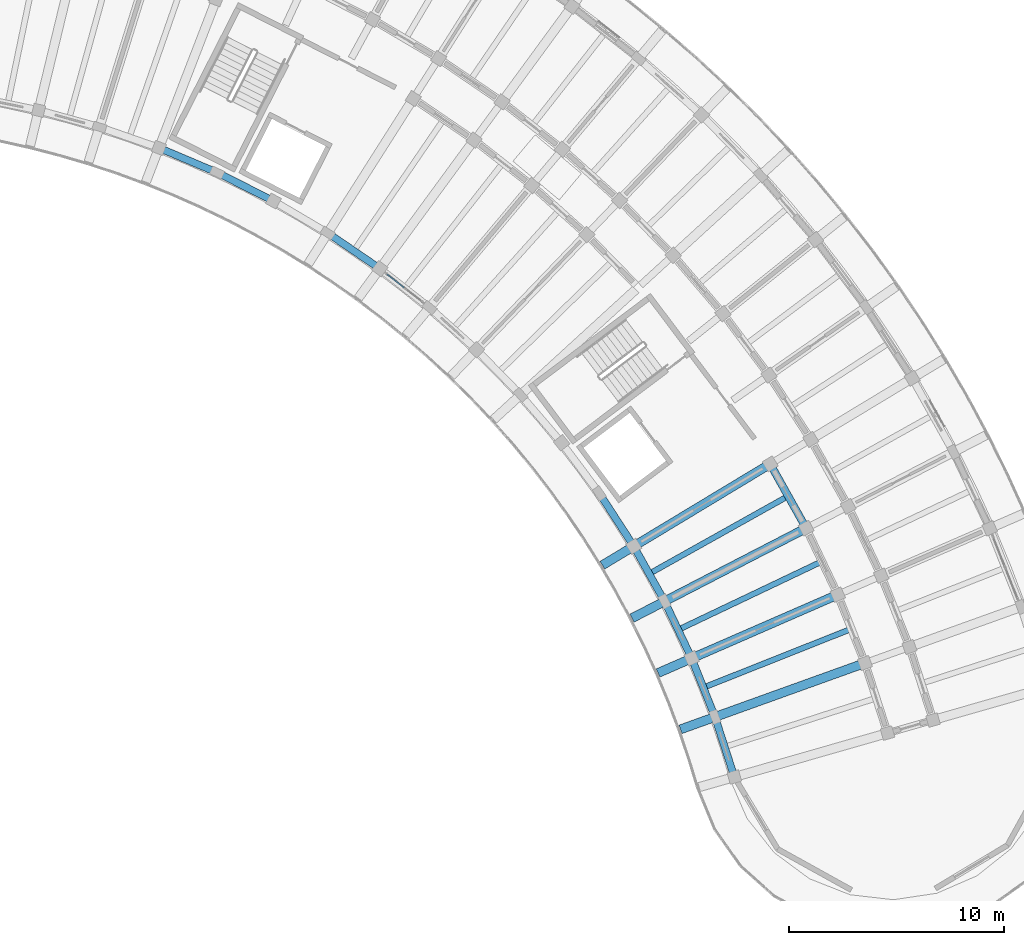
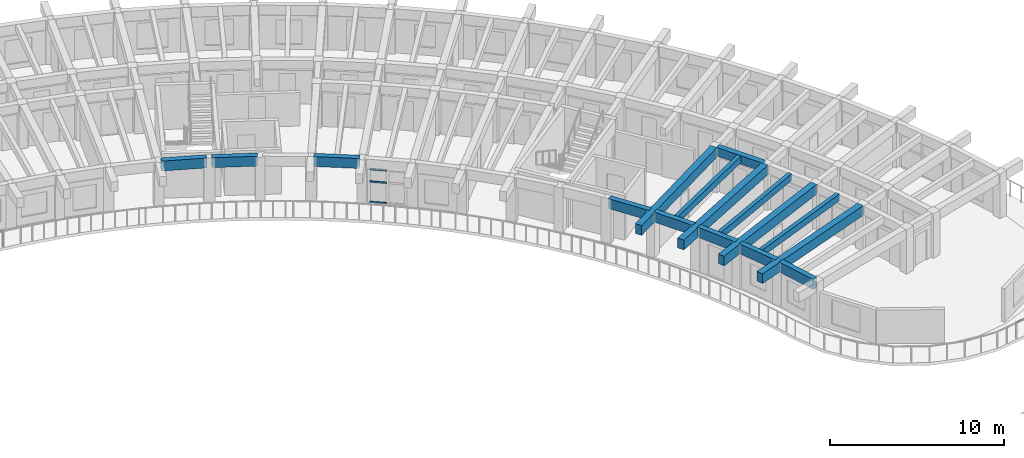
# One storey, part 24 of 81: 16 beams, 3 members, 1 element without a shape of its own.
"""IFC4 building model written with IfcOpenShell, lengths in metres."""

from ifc_helpers import new_model, si_unit, direction, frame, origin, origin_2d, place, context, subcontext, project, spatial, rectangle, hollow_rectangle, extrude, material, material_profile, profile_set, type_object, element, aggregate, save


model = new_model("IFC4")

# Units and contexts
model_context = context("Model", 3, precision=1e-05, world=origin(), true_north=direction((0.0, 1.0)))
body_context = subcontext(model_context, "Body", "Model", "MODEL_VIEW")
ifc_project = project(units=[si_unit("LENGTHUNIT", "METRE"), si_unit("AREAUNIT", "SQUARE_METRE"), si_unit("VOLUMEUNIT", "CUBIC_METRE"), si_unit("PLANEANGLEUNIT", "RADIAN"), si_unit("MASSUNIT", "GRAM", prefix="KILO")], contexts=[model_context])

# Site, building, storey
site_placement = place(None, origin())
site = spatial("IfcSite", under=ifc_project, at=site_placement, CompositionType="ELEMENT")
building_placement = place(site_placement, origin())
building = spatial("IfcBuilding", under=site, at=building_placement, Name="Tanwirah Colonnade Gardens", CompositionType="ELEMENT")
storey_placement = place(building_placement, frame((0.0, 0.0, 18.919921875)))
storey = spatial("IfcBuildingStorey", under=building, at=storey_placement, Name="L05", CompositionType="ELEMENT", Elevation=18.919921875)

# Beams
ifc_material_1 = material(Name="Precast concrete C40/50", Category="concrete")
ifc_material_profile_1 = material_profile(ifc_material_1, rectangle(XDim=0.35009765625, YDim=0.60009765625, at=origin_2d()), Name="PC-BM 350x600")
ifc_profile_set_1 = profile_set([ifc_material_profile_1], Name="Precast concrete C40/50")
beam_type_1 = type_object("IfcBeamType", Name="BM-PC350B", PredefinedType="BEAM", material=ifc_profile_set_1)
beam_1_placement = place(storey_placement, frame((166.98779296875, 84.138671875, 2.81005859375), z_axis=(-0.488200372352, 0.872731571811, 0.0), x_axis=(-0.872731571811, -0.488200372352, 0.0)))
element("IfcBeam", 1, at=beam_1_placement, inside=storey, type_object=beam_type_1, Name="Block B L05 Circumferential Beam 3-R1", PredefinedType="BEAM", context=body_context, shape_type="SweptSolid", body=[
    extrude(rectangle(XDim=0.35009765625, YDim=0.60009765625, at=origin_2d()), origin(), (0.0, 0.0, 1.0), 3.117919921875),
])
ifc_material_2 = material(Name="Precast concrete C45/55", Category="concrete")
ifc_material_profile_2 = material_profile(ifc_material_2, rectangle(XDim=0.419921875, YDim=0.679931640625, at=origin_2d()), Name="PC-BM 420x680")
ifc_profile_set_2 = profile_set([ifc_material_profile_2], Name="Precast concrete C45/55")
beam_type_2 = type_object("IfcBeamType", Name="BM-PC420", PredefinedType="BEAM", material=ifc_profile_set_2)
beam_2_placement = place(storey_placement, frame((169.650390625, 77.69384765625, 2.77001953125), z_axis=(-0.941017049702, -0.338359146723, 0.0), x_axis=(0.338359146723, -0.941017049702, 0.0)))
element("IfcBeam", 2, at=beam_2_placement, inside=storey, type_object=beam_type_2, Name="Block B L05 Inner Radial Precast Girder 1", PredefinedType="BEAM", context=body_context, shape_type="SweptSolid", body=[
    extrude(rectangle(XDim=0.419921875, YDim=0.679931640625, at=origin_2d()), origin(), (0.0, 0.0, 1.0), 8.949951171875),
])
beam_3_placement = place(storey_placement, frame((168.39208984375, 80.861328125, 2.77001953125), z_axis=(-0.916669317869, -0.399646545934, 0.0), x_axis=(0.399646545934, -0.916669317869, 0.0)))
element("IfcBeam", 3, at=beam_3_placement, inside=storey, type_object=beam_type_2, Name="Block B L05 Inner Radial Precast Girder 2", PredefinedType="BEAM", context=body_context, shape_type="SweptSolid", body=[
    extrude(rectangle(XDim=0.419921875, YDim=0.679931640625, at=origin_2d()), origin(), (0.0, 0.0, 1.0), 8.9501953125),
])
beam_4_placement = place(storey_placement, frame((166.927734375, 83.93896484375, 2.77001953125), z_axis=(-0.888345427876, -0.459175784175, 0.0), x_axis=(0.459175784175, -0.888345427876, 0.0)))
element("IfcBeam", 4, at=beam_4_placement, inside=storey, type_object=beam_type_2, Name="Block B L05 Inner Radial Precast Girder 3", PredefinedType="BEAM", context=body_context, shape_type="SweptSolid", body=[
    extrude(rectangle(XDim=0.419921875, YDim=0.679931640625, at=origin_2d()), origin(), (0.0, 0.0, 1.0), 8.949951171875),
])
beam_5_placement = place(storey_placement, frame((165.263916015625, 86.913330078125, 2.77001953125), z_axis=(-0.856168728297, -0.516696340887, 0.0), x_axis=(0.516696340887, -0.856168728297, 0.0)))
element("IfcBeam", 5, at=beam_5_placement, inside=storey, type_object=beam_type_2, Name="Block B L05 Inner Radial Precast Girder 4", PredefinedType="BEAM", context=body_context, shape_type="SweptSolid", body=[
    extrude(rectangle(XDim=0.419921875, YDim=0.679931640625, at=origin_2d()), origin(), (0.0, 0.0, 1.0), 8.9501953125),
])

# Curtain wall, members
ifc_material_3 = material(Name="Bronze-anodised aluminium and solar-control low-E glass", Category="aluminium")
curtain_wall_type = type_object("IfcCurtainWallType", Name="CW-GDN", PredefinedType="NOTDEFINED", material=ifc_material_3)
curtain_wall_placement = place(storey_placement, origin())
curtain_wall = element("IfcCurtainWall", 6, at=curtain_wall_placement, inside=storey, type_object=curtain_wall_type, Name="Curtain Wall CW-B-L05-IN-09", PredefinedType="NOTDEFINED")
ifc_material_4 = material(Name="Bronze-anodised aluminium", Category="aluminium")
ifc_material_profile_3 = material_profile(ifc_material_4, hollow_rectangle(XDim=0.06005859375, YDim=0.1201171875, WallThickness=0.00390625, at=origin_2d()), Name="CW-TRN 60x120x4")
ifc_profile_set_3 = profile_set([ifc_material_profile_3], Name="Bronze-anodised aluminium")
member_type = type_object("IfcMemberType", Name="CWT-60x120", PredefinedType="USERDEFINED", material=ifc_profile_set_3)
member_1_placement = place(storey_placement, frame((148.3955078125, 95.17333984375, 0.030029296875), z_axis=(-0.786768698357, 0.617247936639, 0.0), x_axis=(-0.617247936639, -0.786768698357, 0.0)))
member_1 = element("IfcMember", 7, at=member_1_placement, type_object=member_type, Name="CW-GDN transom 2.1", ObjectType="TRANSOM", PredefinedType="USERDEFINED", context=body_context, shape_type="SweptSolid", body=[
    extrude(hollow_rectangle(XDim=0.06005859375, YDim=0.1201171875, WallThickness=0.00390625, at=origin_2d()), origin(), (0.0, 0.0, 1.0), 1.015380859375),
])
member_2_placement = place(storey_placement, frame((148.3955078125, 95.17333984375, 1.460205078125), z_axis=(-0.786768698357, 0.617247936639, 0.0), x_axis=(-0.617247936639, -0.786768698357, 0.0)))
member_2 = element("IfcMember", 8, at=member_2_placement, type_object=member_type, Name="CW-GDN transom 2.2", ObjectType="TRANSOM", PredefinedType="USERDEFINED", context=body_context, shape_type="SweptSolid", body=[
    extrude(hollow_rectangle(XDim=0.06005859375, YDim=0.1201171875, WallThickness=0.00390625, at=origin_2d()), origin(), (0.0, 0.0, 1.0), 1.015380859375),
])
member_3_placement = place(storey_placement, frame((148.3955078125, 95.17333984375, 2.3251953125), z_axis=(-0.786768698357, 0.617247936639, 0.0), x_axis=(-0.617247936639, -0.786768698357, 0.0)))
member_3 = element("IfcMember", 9, at=member_3_placement, type_object=member_type, Name="CW-GDN transom 2.3", ObjectType="TRANSOM", PredefinedType="USERDEFINED", context=body_context, shape_type="SweptSolid", body=[
    extrude(hollow_rectangle(XDim=0.06005859375, YDim=0.1201171875, WallThickness=0.00390625, at=origin_2d()), origin(), (0.0, 0.0, 1.0), 1.015380859375),
])
aggregate(curtain_wall, [member_1, member_2, member_3])

# Beams
ifc_material_profile_4 = material_profile(ifc_material_1, rectangle(XDim=0.260009765625, YDim=0.4599609375, at=origin_2d()), Name="PC-JST 260x460")
ifc_profile_set_4 = profile_set([ifc_material_profile_4], Name="Precast concrete C40/50")
beam_type_3 = type_object("IfcBeamType", Name="JST-PC260", PredefinedType="JOIST", material=ifc_profile_set_4)
for number, where, z_axis, x_axis, name in (
    (10, (162.4208984375, 76.655517578125, 2.880126953125), (0.929348880779, 0.369202732649, 0.0), (-0.369202732649, 0.929348880779, 0.0), "Block B L05 Inner Precast Floor Joist 1"),
    (11, (161.246826171875, 79.348876953125, 2.880126953125), (0.903005429363, 0.429629136048, 0.0), (-0.429629136048, 0.903005429363, 0.0), "Block B L05 Inner Precast Floor Joist 2"),
    (12, (159.897705078125, 81.958984375, 2.880126953125), (0.872726875563, 0.488208767506, 0.0), (-0.488208767506, 0.872726875563, 0.0), "Block B L05 Inner Precast Floor Joist 3"),
):
    element("IfcBeam", number, at=place(storey_placement, frame(where, z_axis=z_axis, x_axis=x_axis)), inside=storey, type_object=beam_type_3, Name=name, PredefinedType="JOIST", context=body_context, shape_type="SweptSolid", body=[
        extrude(rectangle(XDim=0.260009765625, YDim=0.4599609375, at=origin_2d()), origin(), (0.0, 0.0, 1.0), 7.16015625),
    ])
ifc_material_profile_5 = material_profile(ifc_material_1, rectangle(XDim=0.3349609375, YDim=0.695068359375, at=origin_2d()), Name="PC-SP 335x695")
ifc_profile_set_5 = profile_set([ifc_material_profile_5], Name="Precast concrete C40/50")
beam_type_4 = type_object("IfcBeamType", Name="SP-PC300", PredefinedType="SPANDREL", material=ifc_profile_set_5)
beam_6_placement = place(storey_placement, frame((163.681884765625, 72.5947265625, 2.7626953125), z_axis=(-0.307135661902, 0.951665742363, 0.0), x_axis=(-0.951665742363, -0.307135661902, 0.0)))
element("IfcBeam", 13, at=beam_6_placement, inside=storey, type_object=beam_type_4, Name="Block B L05 Circumferential Beam 0-R0", PredefinedType="SPANDREL", context=body_context, shape_type="SweptSolid", body=[
    extrude(rectangle(XDim=0.3349609375, YDim=0.695068359375, at=origin_2d()), origin(), (0.0, 0.0, 1.0), 2.63037109375),
])
beam_7_placement = place(storey_placement, frame((162.772705078125, 75.380126953125, 2.7626953125), z_axis=(-0.369245181709, 0.929332015904, 0.0), x_axis=(-0.929332015904, -0.369245181709, 0.0)))
element("IfcBeam", 14, at=beam_7_placement, inside=storey, type_object=beam_type_4, Name="Block B L05 Circumferential Beam 1-R0", PredefinedType="SPANDREL", context=body_context, shape_type="SweptSolid", body=[
    extrude(rectangle(XDim=0.3349609375, YDim=0.695068359375, at=origin_2d()), origin(), (0.0, 0.0, 1.0), 2.630126953125),
])
beam_8_placement = place(storey_placement, frame((161.681640625, 78.099365234375, 2.7626953125), z_axis=(-0.42964173036, 0.902999437172, 0.0), x_axis=(-0.902999437172, -0.42964173036, 0.0)))
element("IfcBeam", 15, at=beam_8_placement, inside=storey, type_object=beam_type_4, Name="Block B L05 Circumferential Beam 2-R0", PredefinedType="SPANDREL", context=body_context, shape_type="SweptSolid", body=[
    extrude(rectangle(XDim=0.3349609375, YDim=0.695068359375, at=origin_2d()), origin(), (0.0, 0.0, 1.0), 2.63037109375),
])
beam_9_placement = place(storey_placement, frame((160.413818359375, 80.740966796875, 2.7626953125), z_axis=(-0.488170837957, 0.872748092503, 0.0), x_axis=(-0.872748092503, -0.488170837957, 0.0)))
element("IfcBeam", 16, at=beam_9_placement, inside=storey, type_object=beam_type_4, Name="Block B L05 Circumferential Beam 3-R0", PredefinedType="SPANDREL", context=body_context, shape_type="SweptSolid", body=[
    extrude(rectangle(XDim=0.3349609375, YDim=0.695068359375, at=origin_2d()), origin(), (0.0, 0.0, 1.0), 2.630126953125),
])
for number, where, z_axis, x_axis, name in (
    (17, (158.974853515625, 83.29296875, 2.7626953125), (-0.544570677829, 0.838714955661, 0.0), (-0.838714955661, -0.544570677829, 0.0), "Block B L05 Circumferential Beam 4-R0"),
    (18, (147.142578125, 96.143798828125, 2.7626953125), (-0.825800981874, 0.563961646158, 0.0), (-0.563961646158, -0.825800981874, 0.0), "Block B L05 Circumferential Beam 10-R0"),
    (19, (142.189453125, 99.26904296875, 2.7626953125), (-0.892769015158, 0.450514689632, 0.0), (-0.450514689632, -0.892769015158, 0.0), "Block B L05 Circumferential Beam 12-R0"),
    (20, (139.569091796875, 100.580322265625, 2.7626953125), (-0.920488719784, 0.390769134848, 0.0), (-0.390769134848, -0.920488719784, 0.0), "Block B L05 Circumferential Beam 13-R0"),
):
    element("IfcBeam", number, at=place(storey_placement, frame(where, z_axis=z_axis, x_axis=x_axis)), inside=storey, type_object=beam_type_4, Name=name, PredefinedType="SPANDREL", context=body_context, shape_type="SweptSolid", body=[
        extrude(rectangle(XDim=0.3349609375, YDim=0.695068359375, at=origin_2d()), origin(), (0.0, 0.0, 1.0), 2.63037109375),
    ])

save(model, "model.ifc")
